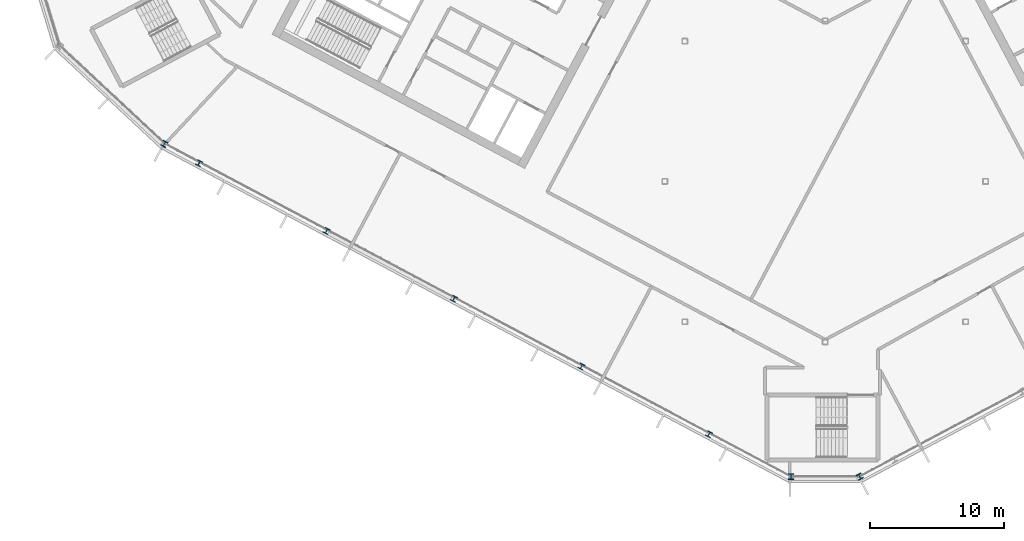
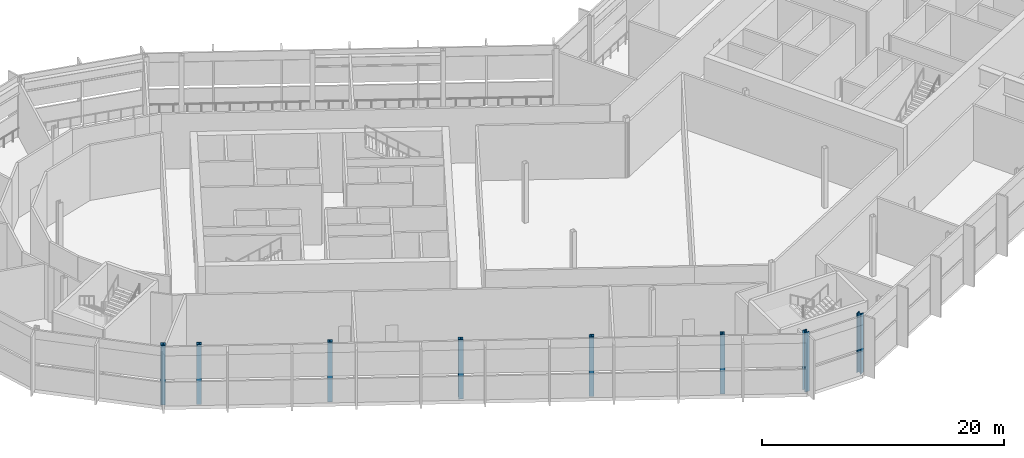
# One storey, part 1 of 33: 8 columns.
"""IFC4 building model written with IfcOpenShell, lengths in metres."""

from ifc_helpers import new_model, si_unit, direction, frame, origin, origin_2d, place, context, subcontext, project, spatial, i_section, extrude, material, material_profile, profile_set, type_object, element, save


model = new_model("IFC4")

# Units and contexts
model_context = context("Model", 3, precision=1e-05, world=origin(), true_north=direction((0.0, 1.0)))
body_context = subcontext(model_context, "Body", "Model", "MODEL_VIEW")
ifc_project = project(units=[si_unit("LENGTHUNIT", "METRE"), si_unit("AREAUNIT", "SQUARE_METRE"), si_unit("VOLUMEUNIT", "CUBIC_METRE"), si_unit("PLANEANGLEUNIT", "RADIAN"), si_unit("MASSUNIT", "GRAM", prefix="KILO")], contexts=[model_context])

# Site, building, storey
site_placement = place(None, origin())
site = spatial("IfcSite", under=ifc_project, at=site_placement, CompositionType="ELEMENT")
building_placement = place(site_placement, origin())
building = spatial("IfcBuilding", under=site, at=building_placement, Name="Cormorant Relay Tower", CompositionType="ELEMENT")
storey_placement = place(building_placement, frame((0.0, 0.0, 252.0)))
storey = spatial("IfcBuildingStorey", under=building, at=storey_placement, Name="L56", CompositionType="ELEMENT", Elevation=252.0)

# Columns
ifc_material_1 = material(Name="Steel ASTM A992 (Fy 345 MPa)", Category="steel")
ifc_material_profile_1 = material_profile(ifc_material_1, i_section(OverallWidth=0.40380859375, OverallDepth=0.406494140625, WebThickness=0.027099609375, FlangeThickness=0.043701171875, FilletRadius=0.01513671875, at=origin_2d()), Name="W360x347")
ifc_profile_set_1 = profile_set([ifc_material_profile_1], Name="Steel ASTM A992 (Fy 345 MPa)")
column_type_1 = type_object("IfcColumnType", Name="Column W360x347", PredefinedType="COLUMN", material=ifc_profile_set_1)
for number, where, z_axis, x_axis, name in (
    (1, (-8.700927734375, -18.919921875, 0.0), (0.0, 0.0, 1.0), (0.882947592859, -0.469471562786, 0.0), "Column L56-004"),
    (2, (-18.237060546875, -13.85009765625, 0.0), (0.0, 0.0, 1.0), (0.882947592859, -0.469471562786, 0.0), "Column L56-006"),
    (3, (-27.77197265625, -8.779052734375, 0.0), (0.0, 0.0, 1.0), (0.882947592859, -0.469471562786, 0.0), "Column L56-011"),
    (4, (-37.30810546875, -3.708984375, 0.0), (0.0, 0.0, 1.0), (0.882947592859, -0.469471562786, 0.0), "Column L56-013"),
    (5, (-46.843994140625, 1.361083984375, 0.0), (0.0, 0.0, 1.0), (0.882947592859, -0.469471562786, 0.0), "Column L56-017"),
):
    element("IfcColumn", number, at=place(storey_placement, frame(where, z_axis=z_axis, x_axis=x_axis)), inside=storey, type_object=column_type_1, Name=name, PredefinedType="COLUMN", context=body_context, shape_type="SweptSolid", body=[
        extrude(i_section(OverallWidth=0.40380859375, OverallDepth=0.406494140625, WebThickness=0.027099609375, FlangeThickness=0.043701171875, FilletRadius=0.01513671875, at=origin_2d()), origin(), (0.0, 0.0, 1.0), 6.0),
    ])
ifc_material_2 = material(Name="Steel ASTM A992 (Fy 345 MPa)", Category="steel")
ifc_material_profile_2 = material_profile(ifc_material_2, i_section(OverallWidth=0.41162109375, OverallDepth=0.434326171875, WebThickness=0.035888671875, FlangeThickness=0.057373046875, FilletRadius=0.01513671875, at=origin_2d()), Name="W360x463")
ifc_profile_set_2 = profile_set([ifc_material_profile_2], Name="Steel ASTM A992 (Fy 345 MPa)")
column_type_2 = type_object("IfcColumnType", Name="Column W360x463", PredefinedType="COLUMN", material=ifc_profile_set_2)
for number, where, z_axis, x_axis, name in (
    (6, (-2.575927734375, -22.083984375, 0.0), (0.0, 0.0, 1.0), (1.0, 0.0, 0.0), "Column L56-001"),
    (7, (2.575927734375, -22.083984375, 0.0), (0.0, 0.0, 1.0), (0.882947592859, 0.469471562786, 0.0), "Column L56-002"),
    (8, (-49.43505859375, 2.803955078125, 0.0), (0.0, 0.0, 1.0), (0.882947592859, -0.469471562786, 0.0), "Column L56-018"),
):
    element("IfcColumn", number, at=place(storey_placement, frame(where, z_axis=z_axis, x_axis=x_axis)), inside=storey, type_object=column_type_2, Name=name, PredefinedType="COLUMN", context=body_context, shape_type="SweptSolid", body=[
        extrude(i_section(OverallWidth=0.41162109375, OverallDepth=0.434326171875, WebThickness=0.035888671875, FlangeThickness=0.057373046875, FilletRadius=0.01513671875, at=origin_2d()), origin(), (0.0, 0.0, 1.0), 6.0),
    ])

save(model, "model.ifc")
